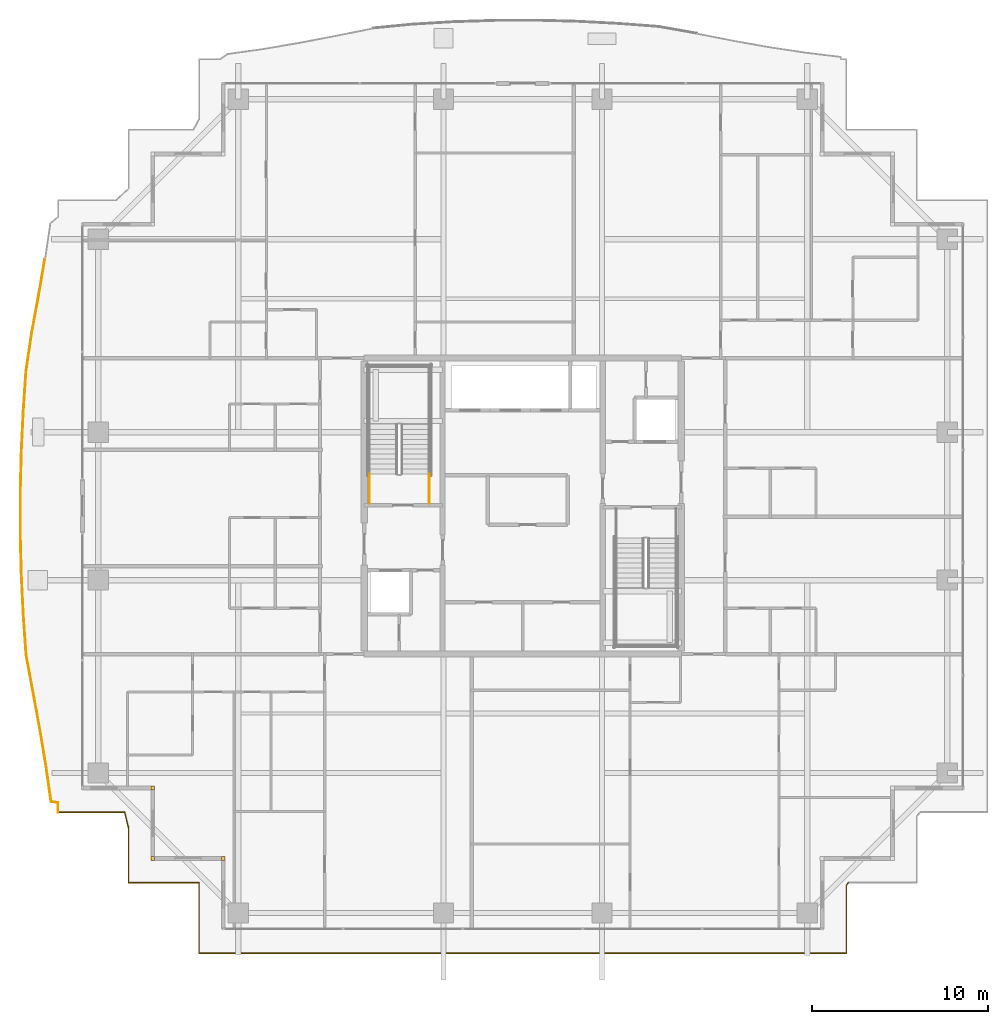
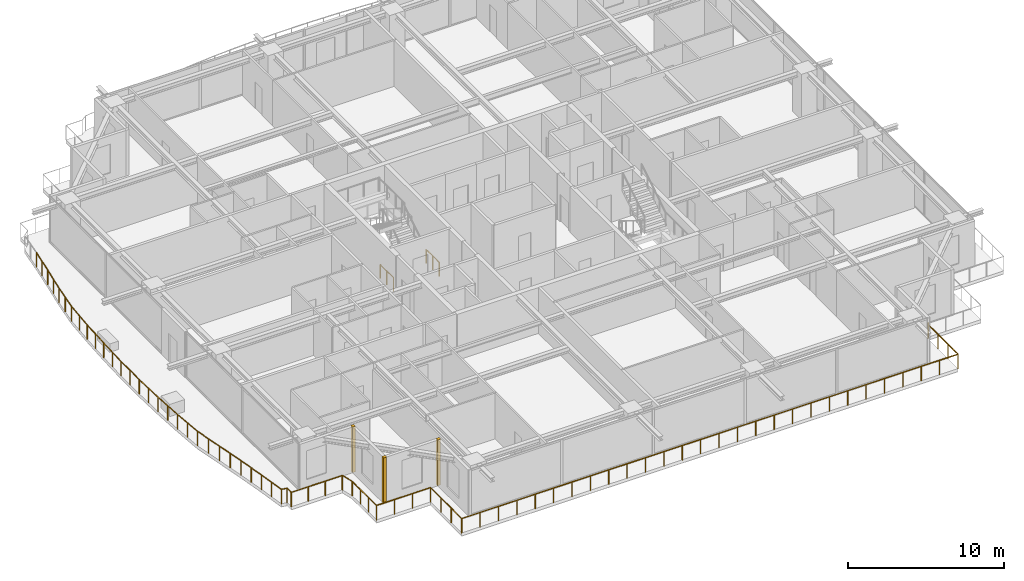
# One storey, part 34 of 38: 5 railings, 3 coverings.
"""IFC4 building model written with IfcOpenShell, lengths in metres."""

from ifc_helpers import new_model, si_unit, direction, frame, origin, origin_2d, place, context, subcontext, project, spatial, rectangle, circle, extrude, source, transform, mapped, material, layer, layer_set, type_object, element, save


model = new_model("IFC4")

# Units and contexts
model_context = context("Model", 3, precision=1e-05, world=origin(), true_north=direction((0.0, 1.0)))
body_context = subcontext(model_context, "Body", "Model", "MODEL_VIEW")
ifc_project = project(units=[si_unit("LENGTHUNIT", "METRE"), si_unit("AREAUNIT", "SQUARE_METRE"), si_unit("VOLUMEUNIT", "CUBIC_METRE"), si_unit("PLANEANGLEUNIT", "RADIAN"), si_unit("MASSUNIT", "GRAM", prefix="KILO")], contexts=[model_context])

# Site, building, storey
site_placement = place(None, origin())
site = spatial("IfcSite", under=ifc_project, at=site_placement, CompositionType="ELEMENT")
building_placement = place(site_placement, origin())
building = spatial("IfcBuilding", under=site, at=building_placement, Name="Serunith Strait Residences", CompositionType="ELEMENT")
storey_placement = place(building_placement, frame((0.0, 0.0, 237.39990234375)))
storey = spatial("IfcBuildingStorey", under=building, at=storey_placement, Name="L59", CompositionType="ELEMENT", Elevation=237.39990234375)

# Railings
ifc_material_1 = material(Name="Stainless Steel & Laminated Glass Balustrade", Category="steel")
railing_type_1 = type_object("IfcRailingType", Name="RLG-BALC-1150", PredefinedType="BALUSTRADE", material=ifc_material_1)
railing_1_placement = place(storey_placement, frame((6.02001953125, 7.820068359375, -0.0498046875)))
element("IfcRailing", 1, at=railing_1_placement, inside=storey, type_object=railing_type_1, Name="L59 Swirling Balcony Perimeter Balustrade 1", PredefinedType="BALUSTRADE", context=body_context, shape_type="SweptSolid", body=[
    extrude(circle(Radius=0.02392578125, at=origin_2d()), frame((0.0, 0.001953125, 1.1259765625), z_axis=(0.0, 1.0, 0.0), x_axis=(-1.0, 0.0, 0.0)), (0.0, 0.0, 1.0), 0.534912109375),
    extrude(circle(Radius=0.02392578125, at=origin_2d()), frame((-0.001953125, 0.5390625, 1.1259765625), z_axis=(-0.986074615911, 0.166303493216, 0.0), x_axis=(-0.166303493216, -0.986074615911, 0.0)), (0.0, 0.0, 1.0), 0.390869140625),
    extrude(circle(Radius=0.02392578125, at=origin_2d()), frame((-0.3896484375, 0.6064453125, 1.1259765625), z_axis=(-0.141321262883, 0.989963787548, 0.0), x_axis=(-0.989963787548, -0.141321262883, 0.0)), (0.0, 0.0, 1.0), 2.044921875),
    extrude(circle(Radius=0.02392578125, at=origin_2d()), frame((-0.67919921875, 2.634765625, 1.1259765625), z_axis=(-0.164589356326, 0.986362176781, 0.0), x_axis=(-0.986362176781, -0.164589356326, 0.0)), (0.0, 0.0, 1.0), 2.07568359375),
    extrude(circle(Radius=0.02392578125, at=origin_2d()), frame((-1.021484375, 4.68603515625, 1.1259765625), z_axis=(-0.180279727962, 0.983615381989, 0.0), x_axis=(-0.983615381989, -0.180279727962, 0.0)), (0.0, 0.0, 1.0), 2.1220703125),
    extrude(circle(Radius=0.02392578125, at=origin_2d()), frame((-1.40478515625, 6.77734375, 1.1259765625), z_axis=(-0.182137246399, 0.983273117437, 0.0), x_axis=(-0.983273117437, -0.182137246399, 0.0)), (0.0, 0.0, 1.0), 2.18212890625),
    extrude(circle(Radius=0.02392578125, at=origin_2d()), frame((-1.802978515625, 8.927001953125, 1.1259765625), z_axis=(-0.070697281711, 0.997497816719, 0.0), x_axis=(-0.997497816719, -0.070697281711, 0.0)), (0.0, 0.0, 1.0), 2.268310546875),
    extrude(circle(Radius=0.02392578125, at=origin_2d()), frame((-1.96337890625, 11.193603515625, 1.1259765625), z_axis=(-0.048784486189, 0.998809328104, 0.0), x_axis=(-0.998809328104, -0.048784486189, 0.0)), (0.0, 0.0, 1.0), 2.298095703125),
    extrude(circle(Radius=0.02099609375, at=origin_2d()), origin(), (0.0, 0.0, 1.0), 1.099853515625),
    extrude(circle(Radius=0.02099609375, at=origin_2d()), frame((0.0, 0.538818359375, 0.0)), (0.0, 0.0, 1.0), 1.099853515625),
    extrude(circle(Radius=0.02099609375, at=origin_2d()), frame((-0.389404296875, 0.6044921875, 0.0)), (0.0, 0.0, 1.0), 1.099853515625),
    extrude(circle(Radius=0.02099609375, at=origin_2d()), frame((-0.5341796875, 1.61865234375, 0.0)), (0.0, 0.0, 1.0), 1.099853515625),
    extrude(circle(Radius=0.02099609375, at=origin_2d()), frame((-0.678955078125, 2.6328125, 0.0)), (0.0, 0.0, 1.0), 1.099853515625),
    extrude(circle(Radius=0.02099609375, at=origin_2d()), frame((-0.85009765625, 3.658447265625, 0.0)), (0.0, 0.0, 1.0), 1.099853515625),
    extrude(circle(Radius=0.02099609375, at=origin_2d()), frame((-1.021240234375, 4.68408203125, 0.0)), (0.0, 0.0, 1.0), 1.099853515625),
    extrude(circle(Radius=0.02099609375, at=origin_2d()), frame((-1.212890625, 5.729736328125, 0.0)), (0.0, 0.0, 1.0), 1.099853515625),
    extrude(circle(Radius=0.02099609375, at=origin_2d()), frame((-1.404541015625, 6.775390625, 0.0)), (0.0, 0.0, 1.0), 1.099853515625),
    extrude(circle(Radius=0.02099609375, at=origin_2d()), frame((-1.603515625, 7.85009765625, 0.0)), (0.0, 0.0, 1.0), 1.099853515625),
    extrude(circle(Radius=0.02099609375, at=origin_2d()), frame((-1.802734375, 8.925048828125, 0.0)), (0.0, 0.0, 1.0), 1.099853515625),
    extrude(circle(Radius=0.02099609375, at=origin_2d()), frame((-1.883056640625, 10.058349609375, 0.0)), (0.0, 0.0, 1.0), 1.099853515625),
    extrude(circle(Radius=0.02099609375, at=origin_2d()), frame((-1.96337890625, 11.191650390625, 0.0)), (0.0, 0.0, 1.0), 1.099853515625),
    extrude(circle(Radius=0.02099609375, at=origin_2d()), frame((-2.01953125, 12.34130859375, 0.0)), (0.0, 0.0, 1.0), 1.099853515625),
    extrude(circle(Radius=0.02099609375, at=origin_2d()), frame((-2.07568359375, 13.490966796875, 0.0)), (0.0, 0.0, 1.0), 1.099853515625),
])
railing_2_placement = place(storey_placement, frame((3.9443359375, 21.31103515625, -0.0498046875)))
element("IfcRailing", 2, at=railing_2_placement, inside=storey, type_object=railing_type_1, Name="L59 Swirling Balcony Perimeter Balustrade 2", PredefinedType="BALUSTRADE", context=body_context, shape_type="SweptSolid", body=[
    extrude(circle(Radius=0.02392578125, at=origin_2d()), frame((0.0, 0.001953125, 1.1259765625), z_axis=(-0.025346930069, 0.999678714956, 0.0), x_axis=(-0.999678714956, -0.025346930069, 0.0)), (0.0, 0.0, 1.0), 2.3173828125),
    extrude(circle(Radius=0.02392578125, at=origin_2d()), frame((-0.058837890625, 2.322509765625, 1.1259765625), z_axis=(0.0, 1.0, 0.0), x_axis=(-1.0, 0.0, 0.0)), (0.0, 0.0, 1.0), 2.324951171875),
    extrude(circle(Radius=0.02392578125, at=origin_2d()), frame((-0.058837890625, 4.6513671875, 1.1259765625), z_axis=(0.024908165393, 0.999689743519, 0.0), x_axis=(-0.999689743519, 0.024908165393, 0.0)), (0.0, 0.0, 1.0), 2.319091796875),
    extrude(circle(Radius=0.02392578125, at=origin_2d()), frame((-0.0009765625, 6.9736328125, 1.1259765625), z_axis=(0.047861972808, 0.998853959075, 0.0), x_axis=(-0.998853959075, 0.047861972808, 0.0)), (0.0, 0.0, 1.0), 2.301513671875),
    extrude(circle(Radius=0.02392578125, at=origin_2d()), frame((0.109619140625, 9.276611328125, 1.1259765625), z_axis=(0.066959872572, 0.997755669222, 0.0), x_axis=(-0.997755669222, 0.066959872572, 0.0)), (0.0, 0.0, 1.0), 2.27490234375),
    extrude(circle(Radius=0.02392578125, at=origin_2d()), frame((0.26220703125, 11.55029296875, 1.1259765625), z_axis=(0.14704474865, 0.989129840766, 0.0), x_axis=(-0.989129840766, 0.14704474865, 0.0)), (0.0, 0.0, 1.0), 2.20751953125),
    extrude(circle(Radius=0.02392578125, at=origin_2d()), frame((0.58740234375, 13.73779296875, 1.1259765625), z_axis=(0.181301646047, 0.983427533243, 0.0), x_axis=(-0.983427533243, 0.181301646047, 0.0)), (0.0, 0.0, 1.0), 2.138427734375),
    extrude(circle(Radius=0.02392578125, at=origin_2d()), frame((0.975830078125, 15.8447265625, 1.1259765625), z_axis=(0.168144364543, 0.985762381445, 0.0), x_axis=(-0.985762381445, 0.168144364543, 0.0)), (0.0, 0.0, 1.0), 2.08837890625),
    extrude(circle(Radius=0.02099609375, at=origin_2d()), origin(), (0.0, 0.0, 1.0), 1.099853515625),
    extrude(circle(Radius=0.02099609375, at=origin_2d()), frame((-0.029296875, 1.16015625, 0.0)), (0.0, 0.0, 1.0), 1.099853515625),
    extrude(circle(Radius=0.02099609375, at=origin_2d()), frame((-0.058837890625, 2.320556640625, 0.0)), (0.0, 0.0, 1.0), 1.099853515625),
    extrude(circle(Radius=0.02099609375, at=origin_2d()), frame((-0.058837890625, 3.48486328125, 0.0)), (0.0, 0.0, 1.0), 1.099853515625),
    extrude(circle(Radius=0.02099609375, at=origin_2d()), frame((-0.058837890625, 4.6494140625, 0.0)), (0.0, 0.0, 1.0), 1.099853515625),
    extrude(circle(Radius=0.02099609375, at=origin_2d()), frame((-0.02978515625, 5.810546875, 0.0)), (0.0, 0.0, 1.0), 1.099853515625),
    extrude(circle(Radius=0.02099609375, at=origin_2d()), frame((-0.0009765625, 6.9716796875, 0.0)), (0.0, 0.0, 1.0), 1.099853515625),
    extrude(circle(Radius=0.02099609375, at=origin_2d()), frame((0.05419921875, 8.123046875, 0.0)), (0.0, 0.0, 1.0), 1.099853515625),
    extrude(circle(Radius=0.02099609375, at=origin_2d()), frame((0.109375, 9.274658203125, 0.0)), (0.0, 0.0, 1.0), 1.099853515625),
    extrude(circle(Radius=0.02099609375, at=origin_2d()), frame((0.185546875, 10.41162109375, 0.0)), (0.0, 0.0, 1.0), 1.099853515625),
    extrude(circle(Radius=0.02099609375, at=origin_2d()), frame((0.261962890625, 11.54833984375, 0.0)), (0.0, 0.0, 1.0), 1.099853515625),
    extrude(circle(Radius=0.02099609375, at=origin_2d()), frame((0.424560546875, 12.64208984375, 0.0)), (0.0, 0.0, 1.0), 1.099853515625),
    extrude(circle(Radius=0.02099609375, at=origin_2d()), frame((0.587158203125, 13.73583984375, 0.0)), (0.0, 0.0, 1.0), 1.099853515625),
    extrude(circle(Radius=0.02099609375, at=origin_2d()), frame((0.78125, 14.789306640625, 0.0)), (0.0, 0.0, 1.0), 1.099853515625),
    extrude(circle(Radius=0.02099609375, at=origin_2d()), frame((0.9755859375, 15.8427734375, 0.0)), (0.0, 0.0, 1.0), 1.099853515625),
    extrude(circle(Radius=0.02099609375, at=origin_2d()), frame((1.1513671875, 16.8740234375, 0.0)), (0.0, 0.0, 1.0), 1.099853515625),
    extrude(circle(Radius=0.02099609375, at=origin_2d()), frame((1.327392578125, 17.9052734375, 0.0)), (0.0, 0.0, 1.0), 1.099853515625),
])
railing_3_placement = place(storey_placement, frame((50.881103515625, 3.820068359375, -0.0498046875)))
element("IfcRailing", 3, at=railing_3_placement, inside=storey, type_object=railing_type_1, Name="L59 Swirling Balcony Perimeter Balustrade 8", PredefinedType="BALUSTRADE", context=body_context, shape_type="SweptSolid", body=[
    extrude(circle(Radius=0.02392578125, at=origin_2d()), frame((-0.0009765625, -0.001708984375, 1.1259765625), z_axis=(-0.546751112301, -0.83729518164, 0.0), x_axis=(0.83729518164, -0.546751112301, 0.0)), (0.0, 0.0, 1.0), 0.180908203125),
    extrude(circle(Radius=0.02392578125, at=origin_2d()), frame((-0.10107421875, -0.15673828125, 1.1259765625), z_axis=(0.0, -1.0, 0.0), x_axis=(1.0, 0.0, 0.0)), (0.0, 0.0, 1.0), 3.84130859375),
    extrude(circle(Radius=0.02392578125, at=origin_2d()), frame((-0.10302734375, -4.0, 1.1259765625), z_axis=(-1.0, 0.0, 0.0), x_axis=(0.0, -1.0, 0.0)), (0.0, 0.0, 1.0), 36.756103515625),
    extrude(circle(Radius=0.02392578125, at=origin_2d()), frame((-36.861083984375, -3.998046875, 1.1259765625), z_axis=(0.0, 1.0, 0.0), x_axis=(-1.0, 0.0, 0.0)), (0.0, 0.0, 1.0), 3.99609375),
    extrude(circle(Radius=0.02392578125, at=origin_2d()), frame((-36.863037109375, 0.0, 1.1259765625), z_axis=(-1.0, 0.0, 0.0), x_axis=(0.0, -1.0, 0.0)), (0.0, 0.0, 1.0), 3.99609375),
    extrude(circle(Radius=0.02392578125, at=origin_2d()), frame((-40.861083984375, 0.001953125, 1.1259765625), z_axis=(0.0, 1.0, 0.0), x_axis=(-1.0, 0.0, 0.0)), (0.0, 0.0, 1.0), 3.10009765625),
    extrude(circle(Radius=0.02392578125, at=origin_2d()), frame((-40.861572265625, 3.10595703125, 1.1259765625), z_axis=(-0.239172555778, 0.970977079319, 0.0), x_axis=(-0.970977079319, -0.239172555778, 0.0)), (0.0, 0.0, 1.0), 0.918701171875),
    extrude(circle(Radius=0.02392578125, at=origin_2d()), frame((-41.083740234375, 4.0, 1.1259765625), z_axis=(-1.0, 0.0, 0.0), x_axis=(0.0, -1.0, 0.0)), (0.0, 0.0, 1.0), 3.775390625),
    extrude(circle(Radius=0.02099609375, at=origin_2d()), origin(), (0.0, 0.0, 1.0), 1.099853515625),
    extrude(circle(Radius=0.02099609375, at=origin_2d()), frame((-0.10107421875, -0.15478515625, 0.0)), (0.0, 0.0, 1.0), 1.099853515625),
    extrude(circle(Radius=0.02099609375, at=origin_2d()), frame((-0.10107421875, -1.4365234375, 0.0)), (0.0, 0.0, 1.0), 1.099853515625),
    extrude(circle(Radius=0.02099609375, at=origin_2d()), frame((-0.10107421875, -2.71826171875, 0.0)), (0.0, 0.0, 1.0), 1.099853515625),
    extrude(circle(Radius=0.02099609375, at=origin_2d()), frame((-0.10107421875, -4.0, 0.0)), (0.0, 0.0, 1.0), 1.099853515625),
    extrude(circle(Radius=0.02099609375, at=origin_2d()), frame((-1.462646484375, -4.0, 0.0)), (0.0, 0.0, 1.0), 1.099853515625),
    extrude(circle(Radius=0.02099609375, at=origin_2d()), frame((-2.823974609375, -4.0, 0.0)), (0.0, 0.0, 1.0), 1.099853515625),
    extrude(circle(Radius=0.02099609375, at=origin_2d()), frame((-4.185546875, -4.0, 0.0)), (0.0, 0.0, 1.0), 1.099853515625),
    extrude(circle(Radius=0.02099609375, at=origin_2d()), frame((-5.547119140625, -4.0, 0.0)), (0.0, 0.0, 1.0), 1.099853515625),
    extrude(circle(Radius=0.02099609375, at=origin_2d()), frame((-6.908447265625, -4.0, 0.0)), (0.0, 0.0, 1.0), 1.099853515625),
    extrude(circle(Radius=0.02099609375, at=origin_2d()), frame((-8.27001953125, -4.0, 0.0)), (0.0, 0.0, 1.0), 1.099853515625),
    extrude(circle(Radius=0.02099609375, at=origin_2d()), frame((-9.63134765625, -4.0, 0.0)), (0.0, 0.0, 1.0), 1.099853515625),
    extrude(circle(Radius=0.02099609375, at=origin_2d()), frame((-10.992919921875, -4.0, 0.0)), (0.0, 0.0, 1.0), 1.099853515625),
    extrude(circle(Radius=0.02099609375, at=origin_2d()), frame((-12.3544921875, -4.0, 0.0)), (0.0, 0.0, 1.0), 1.099853515625),
    extrude(circle(Radius=0.02099609375, at=origin_2d()), frame((-13.7158203125, -4.0, 0.0)), (0.0, 0.0, 1.0), 1.099853515625),
    extrude(circle(Radius=0.02099609375, at=origin_2d()), frame((-15.077392578125, -4.0, 0.0)), (0.0, 0.0, 1.0), 1.099853515625),
    extrude(circle(Radius=0.02099609375, at=origin_2d()), frame((-16.43896484375, -4.0, 0.0)), (0.0, 0.0, 1.0), 1.099853515625),
    extrude(circle(Radius=0.02099609375, at=origin_2d()), frame((-17.80029296875, -4.0, 0.0)), (0.0, 0.0, 1.0), 1.099853515625),
    extrude(circle(Radius=0.02099609375, at=origin_2d()), frame((-19.161865234375, -4.0, 0.0)), (0.0, 0.0, 1.0), 1.099853515625),
    extrude(circle(Radius=0.02099609375, at=origin_2d()), frame((-20.523193359375, -4.0, 0.0)), (0.0, 0.0, 1.0), 1.099853515625),
    extrude(circle(Radius=0.02099609375, at=origin_2d()), frame((-21.884765625, -4.0, 0.0)), (0.0, 0.0, 1.0), 1.099853515625),
    extrude(circle(Radius=0.02099609375, at=origin_2d()), frame((-23.246337890625, -4.0, 0.0)), (0.0, 0.0, 1.0), 1.099853515625),
    extrude(circle(Radius=0.02099609375, at=origin_2d()), frame((-24.607666015625, -4.0, 0.0)), (0.0, 0.0, 1.0), 1.099853515625),
    extrude(circle(Radius=0.02099609375, at=origin_2d()), frame((-25.96923828125, -4.0, 0.0)), (0.0, 0.0, 1.0), 1.099853515625),
    extrude(circle(Radius=0.02099609375, at=origin_2d()), frame((-27.330810546875, -4.0, 0.0)), (0.0, 0.0, 1.0), 1.099853515625),
    extrude(circle(Radius=0.02099609375, at=origin_2d()), frame((-28.692138671875, -4.0, 0.0)), (0.0, 0.0, 1.0), 1.099853515625),
    extrude(circle(Radius=0.02099609375, at=origin_2d()), frame((-30.0537109375, -4.0, 0.0)), (0.0, 0.0, 1.0), 1.099853515625),
    extrude(circle(Radius=0.02099609375, at=origin_2d()), frame((-31.4150390625, -4.0, 0.0)), (0.0, 0.0, 1.0), 1.099853515625),
    extrude(circle(Radius=0.02099609375, at=origin_2d()), frame((-32.776611328125, -4.0, 0.0)), (0.0, 0.0, 1.0), 1.099853515625),
    extrude(circle(Radius=0.02099609375, at=origin_2d()), frame((-34.13818359375, -4.0, 0.0)), (0.0, 0.0, 1.0), 1.099853515625),
    extrude(circle(Radius=0.02099609375, at=origin_2d()), frame((-35.49951171875, -4.0, 0.0)), (0.0, 0.0, 1.0), 1.099853515625),
    extrude(circle(Radius=0.02099609375, at=origin_2d()), frame((-36.861083984375, -4.0, 0.0)), (0.0, 0.0, 1.0), 1.099853515625),
    extrude(circle(Radius=0.02099609375, at=origin_2d()), frame((-36.861083984375, -2.666748046875, 0.0)), (0.0, 0.0, 1.0), 1.099853515625),
    extrude(circle(Radius=0.02099609375, at=origin_2d()), frame((-36.861083984375, -1.333251953125, 0.0)), (0.0, 0.0, 1.0), 1.099853515625),
    extrude(circle(Radius=0.02099609375, at=origin_2d()), frame((-36.861083984375, 0.0, 0.0)), (0.0, 0.0, 1.0), 1.099853515625),
    extrude(circle(Radius=0.02099609375, at=origin_2d()), frame((-38.1943359375, 0.0, 0.0)), (0.0, 0.0, 1.0), 1.099853515625),
    extrude(circle(Radius=0.02099609375, at=origin_2d()), frame((-39.52783203125, 0.0, 0.0)), (0.0, 0.0, 1.0), 1.099853515625),
    extrude(circle(Radius=0.02099609375, at=origin_2d()), frame((-40.861083984375, 0.0, 0.0)), (0.0, 0.0, 1.0), 1.099853515625),
    extrude(circle(Radius=0.02099609375, at=origin_2d()), frame((-40.861083984375, 1.03466796875, 0.0)), (0.0, 0.0, 1.0), 1.099853515625),
    extrude(circle(Radius=0.02099609375, at=origin_2d()), frame((-40.861083984375, 2.0693359375, 0.0)), (0.0, 0.0, 1.0), 1.099853515625),
    extrude(circle(Radius=0.02099609375, at=origin_2d()), frame((-40.861083984375, 3.10400390625, 0.0)), (0.0, 0.0, 1.0), 1.099853515625),
    extrude(circle(Radius=0.02099609375, at=origin_2d()), frame((-41.081787109375, 4.0, 0.0)), (0.0, 0.0, 1.0), 1.099853515625),
    extrude(circle(Radius=0.02099609375, at=origin_2d()), frame((-42.341552734375, 4.0, 0.0)), (0.0, 0.0, 1.0), 1.099853515625),
    extrude(circle(Radius=0.02099609375, at=origin_2d()), frame((-43.601318359375, 4.0, 0.0)), (0.0, 0.0, 1.0), 1.099853515625),
    extrude(circle(Radius=0.02099609375, at=origin_2d()), frame((-44.861083984375, 4.0, 0.0)), (0.0, 0.0, 1.0), 1.099853515625),
])
ifc_material_2 = material(Name="Brushed stainless steel 316L", Category="steel")
railing_type_2 = type_object("IfcRailingType", Name="RLG-STAIR-GUARD", PredefinedType="BALUSTRADE", material=ifc_material_2)
for number, where, name in (
    (4, (27.10009765625, 25.35009765625, 0.0), "L59 ST-1 stair guard 8"),
    (5, (23.699951171875, 25.35009765625, 0.0), "L59 ST-1 stair guard 9"),
):
    element("IfcRailing", number, at=place(storey_placement, frame(where)), inside=storey, type_object=railing_type_2, Name=name, PredefinedType="BALUSTRADE", context=body_context, shape_type="SweptSolid", body=[
        extrude(circle(Radius=0.02392578125, at=origin_2d()), frame((0.0, 0.001953125, 1.076171875), z_axis=(0.0, 1.0, 0.0), x_axis=(-1.0, 0.0, 0.0)), (0.0, 0.0, 1.0), 1.676025390625),
        extrude(circle(Radius=0.02099609375, at=origin_2d()), origin(), (0.0, 0.0, 1.0), 1.050048828125),
        extrude(circle(Radius=0.02099609375, at=origin_2d()), frame((0.0, 0.83984375, 0.0)), (0.0, 0.0, 1.0), 1.050048828125),
        extrude(circle(Radius=0.02099609375, at=origin_2d()), frame((0.0, 1.679931640625, 0.0)), (0.0, 0.0, 1.0), 1.050048828125),
    ])

# Coverings
ifc_material_3 = material(Name="Pale-Champagne Anodised Aluminium", Category="aluminium")
ifc_layer = layer(ifc_material_3, 0.219970703125, Name="Pale-Champagne Anodised Aluminium")
ifc_layer_set = layer_set([ifc_layer], Name="Pale-Champagne Anodised Aluminium")
covering_type = type_object("IfcCoveringType", Name="COV-CORN-TRIM", PredefinedType="CLADDING", material=ifc_layer_set)
shared_shape = source(origin(), body_context, "Body", "SweptSolid", [
    extrude(rectangle(XDim=0.221923828125, YDim=0.221923828125, at=origin_2d()), origin(), (0.0, 0.0, 1.0), 3.574951171875),
])
for number, where, z_axis, x_axis, name in (
    (6, (11.39990234375, 9.199951171875, 0.0), (0.0, 0.0, 1.0), (1.0, 0.0, 0.0), "L59 Girih Serrated Corner Trim Post 17"),
    (7, (11.39990234375, 5.199951171875, 0.0), (0.0, 0.0, 1.0), (1.0, 0.0, 0.0), "L59 Girih Serrated Corner Trim Post 18"),
    (8, (15.39990234375, 5.199951171875, 0.0), (0.0, 0.0, 1.0), (1.0, 0.0, 0.0), "L59 Girih Serrated Corner Trim Post 19"),
):
    element("IfcCovering", number, at=place(storey_placement, frame(where, z_axis=z_axis, x_axis=x_axis)), inside=storey, type_object=covering_type, Name=name, PredefinedType="CLADDING", context=body_context, shape_type="MappedRepresentation", body=[
        mapped(shared_shape, transform((0.0, 0.0, 0.0), scale=1.0)),
    ])

save(model, "model.ifc")
